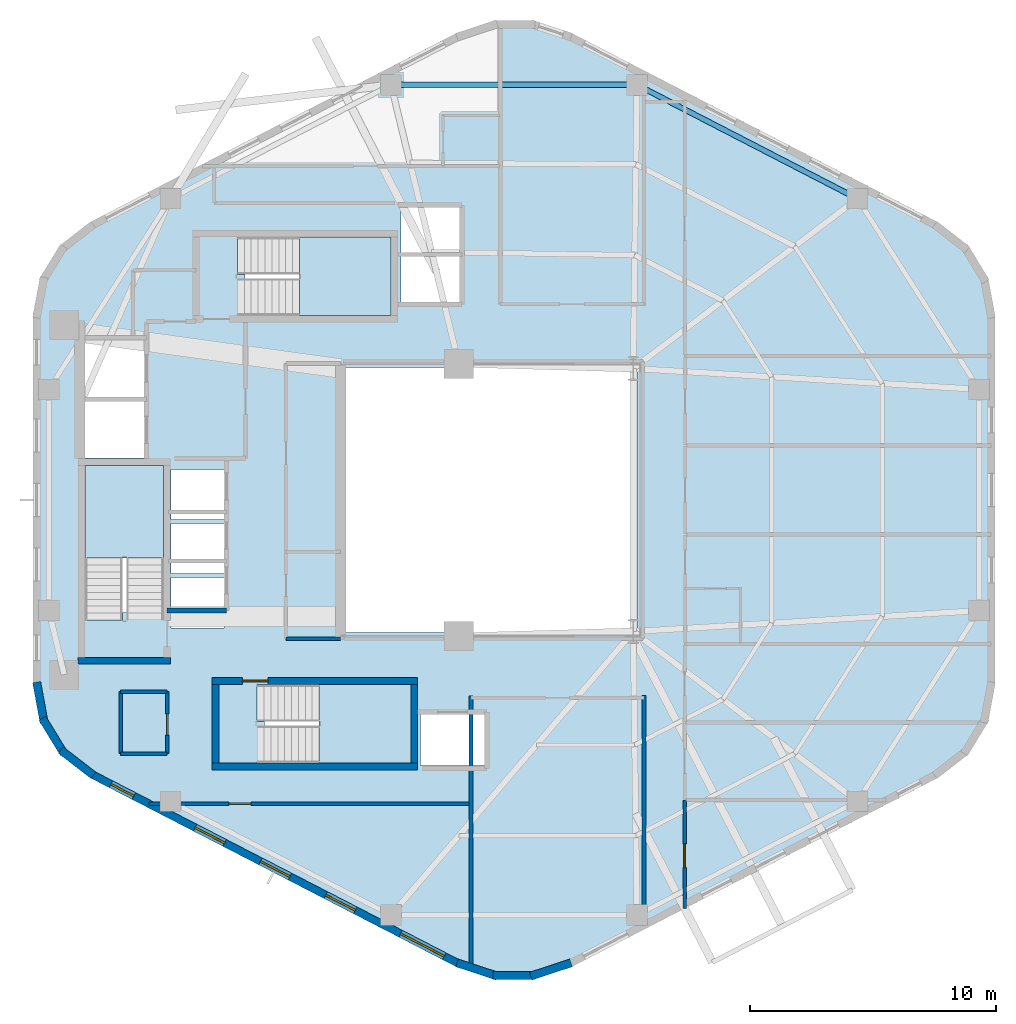
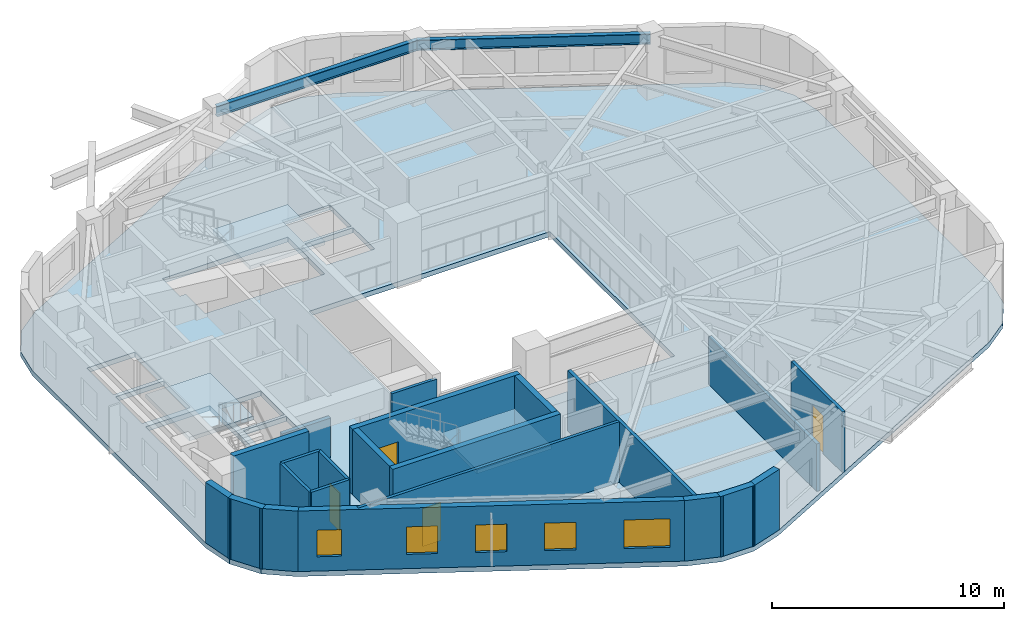
# One storey, part 2 of 7: 22 walls, 5 windows, 4 doors, 4 slabs, 2 beams, 9 openings, 3 elements without a shape of their own.
"""IFC4 building model written with IfcOpenShell, lengths in metres."""

from ifc_helpers import new_model, si_unit, direction, frame, frame_2d, origin, origin_2d, place, context, subcontext, project, spatial, polyline, rectangle, i_section, outline, extrude, material, layer, layer_set, material_profile, profile_set, type_object, element, fill, aggregate, save


model = new_model("IFC4")

# Units and contexts
model_context = context("Model", 3, precision=1e-05, world=origin(), true_north=direction((0.0, 1.0)))
body_context = subcontext(model_context, "Body", "Model", "MODEL_VIEW")
ifc_project = project(units=[si_unit("LENGTHUNIT", "METRE"), si_unit("AREAUNIT", "SQUARE_METRE"), si_unit("VOLUMEUNIT", "CUBIC_METRE"), si_unit("PLANEANGLEUNIT", "RADIAN"), si_unit("MASSUNIT", "GRAM", prefix="KILO"), si_unit("THERMODYNAMICTEMPERATUREUNIT", "KELVIN"), si_unit("POWERUNIT", "WATT")], contexts=[model_context])

# Site, building, storey
site_placement = place(None, origin())
site = spatial("IfcSite", under=ifc_project, at=site_placement, CompositionType="ELEMENT")
building_placement = place(site_placement, origin())
building = spatial("IfcBuilding", under=site, at=building_placement, Name="Skarre Station Tower", CompositionType="ELEMENT")
storey_placement = place(building_placement, frame((0.0, 0.0, 199.89990234375)))
storey = spatial("IfcBuildingStorey", under=building, at=storey_placement, Name="L54", CompositionType="ELEMENT", Elevation=199.89990234375)

# Beams
ifc_material_1 = material(Name="Steel ASTM A992 Grade 50", Category="steel")
ifc_material_profile = material_profile(ifc_material_1, i_section(OverallWidth=0.214111328125, OverallDepth=0.549072265625, WebThickness=0.014892578125, FlangeThickness=0.02392578125, at=origin_2d()), Name="Steel ASTM A992 Grade 50")
ifc_profile_set = profile_set([ifc_material_profile], Name="Steel ASTM A992 Grade 50")
beam_type = type_object("IfcBeamType", Name="Steel Spandrel W21X93", PredefinedType="SPANDREL", material=ifc_profile_set)
beam_1_placement = place(storey_placement, frame((48.573974609375, 36.257080078125, 2.916015625), z_axis=(-0.888613027226, 0.458657702262, 0.0), x_axis=(-0.458657702262, -0.888613027226, 0.0)))
element("IfcBeam", 1, at=beam_1_placement, inside=storey, type_object=beam_type, Name="L54 Facet Spandrel Beam 1", PredefinedType="SPANDREL", context=body_context, shape_type="SweptSolid", body=[
    extrude(i_section(OverallWidth=0.214111328125, OverallDepth=0.549072265625, WebThickness=0.014892578125, FlangeThickness=0.02392578125, at=origin_2d()), origin(), (0.0, 0.0, 1.0), 10.096435546875),
])
beam_2_placement = place(storey_placement, frame((39.60205078125, 40.887939453125, 2.916015625), z_axis=(-1.0, 0.0, 0.0), x_axis=(0.0, -1.0, 0.0)))
element("IfcBeam", 2, at=beam_2_placement, inside=storey, type_object=beam_type, Name="L54 Facet Spandrel Beam 2", PredefinedType="SPANDREL", context=body_context, shape_type="SweptSolid", body=[
    extrude(i_section(OverallWidth=0.214111328125, OverallDepth=0.549072265625, WebThickness=0.014892578125, FlangeThickness=0.02392578125, at=origin_2d()), origin(), (0.0, 0.0, 1.0), 10.004150390625),
])

# Stair, slab
ifc_material_2 = material(Name="Concrete C40/50", Category="concrete")
stair_type_1 = type_object("IfcStairType", Name="Reinforced Concrete Exit Stair ST-1", PredefinedType="HALF_TURN_STAIR", material=ifc_material_2)
stair_1_placement = place(storey_placement, origin())
stair_1 = element("IfcStair", 3, at=stair_1_placement, inside=storey, type_object=stair_type_1, Name="L54 Core Exit Stair ST-1", PredefinedType="HALF_TURN_STAIR")
ifc_layer_1 = layer(ifc_material_2, 0.219970703125, Name="Concrete C40/50")
ifc_layer_set_1 = layer_set([ifc_layer_1], Name="Concrete C40/50")
slab_type_1 = type_object("IfcSlabType", Name="Reinforced Concrete Stair & Ramp Landing 220", PredefinedType="LANDING", material=ifc_layer_set_1)
slab_1_placement = place(storey_placement, frame((0.0, 0.0, 1.525146484375)))
slab_1 = element("IfcSlab", 4, at=slab_1_placement, type_object=slab_type_1, Name="ST-1 landing 1", PredefinedType="LANDING", context=body_context, shape_type="SweptSolid", body=[
    extrude(outline(polyline([(20.35009765625, 21.639892578125), (20.35009765625, 25.39990234375), (17.14990234375, 25.39990234375), (17.14990234375, 21.639892578125), (20.35009765625, 21.639892578125)])), origin(), (0.0, 0.0, 1.0), 0.199951171875),
])
aggregate(stair_1, [slab_1])

stair_type_2 = type_object("IfcStairType", Name="Reinforced Concrete Exit Stair ST-2", PredefinedType="HALF_TURN_STAIR", material=ifc_material_2)
stair_2_placement = place(storey_placement, origin())
stair_2 = element("IfcStair", 5, at=stair_2_placement, inside=storey, type_object=stair_type_2, Name="L54 Core Exit Stair ST-2", PredefinedType="HALF_TURN_STAIR")
slab_2_placement = place(storey_placement, frame((0.0, 0.0, 1.525146484375)))
slab_2 = element("IfcSlab", 6, at=slab_2_placement, type_object=slab_type_1, Name="ST-2 landing 1", PredefinedType="LANDING", context=body_context, shape_type="SweptSolid", body=[
    extrude(outline(polyline([(26.669921875, 13.300048828125), (30.39990234375, 13.300048828125), (30.39990234375, 16.5), (26.669921875, 16.5), (26.669921875, 13.300048828125)])), origin(), (0.0, 0.0, 1.0), 0.199951171875),
])
aggregate(stair_2, [slab_2])

stair_type_3 = type_object("IfcStairType", Name="Reinforced Concrete Exit Stair ST-3", PredefinedType="HALF_TURN_STAIR", material=ifc_material_2)
stair_3_placement = place(storey_placement, origin())
stair_3 = element("IfcStair", 7, at=stair_3_placement, inside=storey, type_object=stair_type_3, Name="L54 Core Exit Stair ST-3", PredefinedType="HALF_TURN_STAIR")
slab_3_placement = place(storey_placement, frame((0.0, 0.0, 1.525146484375)))
slab_3 = element("IfcSlab", 8, at=slab_3_placement, type_object=slab_type_1, Name="ST-3 landing 1", PredefinedType="LANDING", context=body_context, shape_type="SweptSolid", body=[
    extrude(outline(polyline([(25.8701171875, 31.5), (29.60009765625, 31.5), (29.60009765625, 34.699951171875), (25.8701171875, 34.699951171875), (25.8701171875, 31.5)])), origin(), (0.0, 0.0, 1.0), 0.199951171875),
])
aggregate(stair_3, [slab_3])

# Slab
ifc_material_3 = material(Name="Concrete C50/60", Category="concrete")
ifc_layer_2 = layer(ifc_material_3, 0.260009765625, Name="Concrete C50/60")
ifc_layer_set_2 = layer_set([ifc_layer_2], Name="Concrete C50/60")
slab_type_2 = type_object("IfcSlabType", Name="Tower Typical Composite Floor Slab 260", PredefinedType="FLOOR", material=ifc_layer_set_2)
slab_4_placement = place(storey_placement, frame((0.0, 0.0, -0.260009765625)))
element("IfcSlab", 9, at=slab_4_placement, inside=storey, type_object=slab_type_2, Name="L54 Zone 3 Structural Floor Slab", PredefinedType="FLOOR", context=body_context, shape_type="SweptSolid", body=[
    extrude(outline(polyline([(54.172119140625, 31.501953125), (53.89208984375, 33.02294921875), (53.0869140625, 34.344970703125), (51.863037109375, 35.291015625), (36.908935546875, 43.009033203125), (35.39599609375, 43.506103515625), (33.803955078125, 43.506103515625), (32.291015625, 43.009033203125), (17.3369140625, 35.291015625), (16.113037109375, 34.344970703125), (15.30810546875, 33.02294921875), (15.028076171875, 31.501953125), (15.028076171875, 16.498046875), (15.30810546875, 14.97705078125), (16.113037109375, 13.655029296875), (17.3369140625, 12.708984375), (32.291015625, 4.990966796875), (33.803955078125, 4.493896484375), (35.39599609375, 4.493896484375), (36.908935546875, 4.990966796875), (51.863037109375, 12.708984375), (53.0869140625, 13.655029296875), (53.89208984375, 14.97705078125), (54.172119140625, 16.498046875), (54.172119140625, 31.501953125)]), holes=[polyline([(18.669921875, 19.419921875), (18.669921875, 19.123046875), (17.14990234375, 19.123046875), (17.14990234375, 25.39990234375), (20.35009765625, 25.39990234375), (20.35009765625, 19.419921875), (18.669921875, 19.419921875)]), polyline([(24.449951171875, 14.97998046875), (24.153076171875, 14.97998046875), (24.153076171875, 16.5), (30.39990234375, 16.5), (30.39990234375, 13.300048828125), (24.449951171875, 13.300048828125), (24.449951171875, 14.97998046875)]), polyline([(23.64990234375, 33.179931640625), (23.35302734375, 33.179931640625), (23.35302734375, 34.699951171875), (29.60009765625, 34.699951171875), (29.60009765625, 31.5), (23.64990234375, 31.5), (23.64990234375, 33.179931640625)]), polyline([(17.14990234375, 28.0), (19.550048828125, 28.0), (19.550048828125, 25.699951171875), (17.14990234375, 25.699951171875), (17.14990234375, 28.0)]), polyline([(17.14990234375, 30.5), (19.550048828125, 30.5), (19.550048828125, 28.199951171875), (17.14990234375, 28.199951171875), (17.14990234375, 30.5)]), polyline([(30.800048828125, 15.300048828125), (33.39990234375, 15.300048828125), (33.39990234375, 13.199951171875), (30.800048828125, 13.199951171875), (30.800048828125, 15.300048828125)]), polyline([(20.64990234375, 20.85009765625), (22.800048828125, 20.85009765625), (22.800048828125, 18.800048828125), (20.64990234375, 18.800048828125), (20.64990234375, 20.85009765625)]), polyline([(20.64990234375, 23.050048828125), (22.800048828125, 23.050048828125), (22.800048828125, 21.0), (20.64990234375, 21.0), (20.64990234375, 23.050048828125)]), polyline([(20.64990234375, 25.25), (22.800048828125, 25.25), (22.800048828125, 23.199951171875), (20.64990234375, 23.199951171875), (20.64990234375, 25.25)]), polyline([(30.0, 33.89990234375), (32.39990234375, 33.89990234375), (32.39990234375, 32.050048828125), (30.0, 32.050048828125), (30.0, 33.89990234375)]), polyline([(30.0, 35.89990234375), (32.39990234375, 35.89990234375), (32.39990234375, 34.050048828125), (30.0, 34.050048828125), (30.0, 35.89990234375)]), polyline([(27.60009765625, 29.39990234375), (39.60009765625, 29.39990234375), (39.60009765625, 18.60009765625), (27.60009765625, 18.60009765625), (27.60009765625, 29.39990234375)])]), origin(), (0.0, 0.0, 1.0), 0.260009765625),
])

# Walls
ifc_material_4 = material(Name="Acoustic Steel-Stud Gypsum Partition", Category="steel")
ifc_layer_3 = layer(ifc_material_4, 0.14990234375, Name="Acoustic Steel-Stud Gypsum Partition")
ifc_layer_set_3 = layer_set([ifc_layer_3], Name="Acoustic Steel-Stud Gypsum Partition")
wall_type_1 = type_object("IfcWallType", Name="Fire-Rated Corridor Acoustic Partition 150", PredefinedType="PARTITIONING", material=ifc_layer_set_3)
wall_1_placement = place(storey_placement, frame((25.320068359375, 18.360107421875, 0.0), z_axis=(0.0, 0.0, 1.0), x_axis=(1.0, 0.0, 0.0)))
element("IfcWall", 10, at=wall_1_placement, inside=storey, type_object=wall_type_1, Name="L54 Interior Partition WL-PT-L54-RC2-S", PredefinedType="PARTITIONING", context=body_context, shape_type="SweptSolid", body=[
    extrude(rectangle(XDim=2.22998046875, YDim=0.14990234375, at=frame_2d((1.114990234375, 0.0))), origin(), (0.0, 0.0, 1.0), 3.190185546875),
])
wall_2_placement = place(storey_placement, frame((18.60009765625, 16.199951171875, 0.0), z_axis=(0.0, 0.0, 1.0), x_axis=(0.0, -1.0, 0.0)))
element("IfcWall", 11, at=wall_2_placement, inside=storey, type_object=wall_type_1, Name="L54 Interior Partition WL-PT-L54-CSVC-W", PredefinedType="PARTITIONING", context=body_context, shape_type="SweptSolid", body=[
    extrude(rectangle(XDim=2.52001953125, YDim=0.14990234375, at=frame_2d((1.260009765625, 0.0))), origin(), (0.0, 0.0, 1.0), 3.190185546875),
])
for number, where, z_axis, x_axis, name in (
    (12, (18.60009765625, 13.679931640625, 0.0), (0.0, 0.0, 1.0), (1.0, 0.0, 0.0), "L54 Interior Partition WL-PT-L54-CSVC-S"),
    (13, (18.60009765625, 16.199951171875, 0.0), (0.0, 0.0, 1.0), (1.0, 0.0, 0.0), "L54 Interior Partition WL-PT-L54-CSVC-N"),
):
    element("IfcWall", number, at=place(storey_placement, frame(where, z_axis=z_axis, x_axis=x_axis)), inside=storey, type_object=wall_type_1, Name=name, PredefinedType="PARTITIONING", context=body_context, shape_type="SweptSolid", body=[
        extrude(rectangle(XDim=1.889892578125, YDim=0.14990234375, at=frame_2d((0.94482421875, 0.0))), origin(), (0.0, 0.0, 1.0), 3.190185546875),
    ])

# Wall, opening, door
wall_3_placement = place(storey_placement, frame((20.489990234375, 13.679931640625, 0.0), z_axis=(0.0, 0.0, 1.0), x_axis=(0.0, 1.0, 0.0)))
wall_3 = element("IfcWall", 14, at=wall_3_placement, inside=storey, type_object=wall_type_1, Name="L54 Interior Partition WL-PT-L54-CSVC-E", PredefinedType="PARTITIONING", context=body_context, shape_type="SweptSolid", body=[
    extrude(rectangle(XDim=2.52001953125, YDim=0.14990234375, at=frame_2d((1.260009765625, 0.0))), origin(), (0.0, 0.0, 1.0), 3.190185546875),
])
opening_1_placement = place(wall_3_placement, frame((0.75, 0.0, 0.0)))
opening_1 = element("IfcOpeningElement", 15, at=opening_1_placement, cuts=wall_3, Name="Opening DR-SVC86", PredefinedType="OPENING", context=body_context, shape_type="SweptSolid", body=[
    extrude(rectangle(XDim=0.860107421875, YDim=2.0, at=frame_2d((0.43017578125, 1.0))), frame((0.0, 0.0849609375, 0.0), z_axis=(0.0, -1.0, 0.0), x_axis=(1.0, 0.0, 0.0)), (0.0, 0.0, 1.0), 0.169921875),
])
ifc_material_5 = material(Name="Powder-Coated Hollow-Metal Acoustic Fire Leaf", Category="steel")
door_type_1 = type_object("IfcDoorType", Name="Compact Riser Fire Door FD60 860x2100", OperationType="SINGLE_SWING_LEFT", PredefinedType="DOOR", material=ifc_material_5)
door_1_placement = place(opening_1_placement, origin())
door_1 = element("IfcDoor", 16, at=door_1_placement, inside=storey, type_object=door_type_1, Name="L54 Supply Room Door", OperationType="SINGLE_SWING_LEFT", OverallHeight=2.0, OverallWidth=0.860107421875, PredefinedType="DOOR", context=body_context, shape_type="SweptSolid", body=[
    extrude(rectangle(XDim=0.860107421875, YDim=2.0, at=frame_2d((0.43017578125, 1.0))), frame((0.0, 0.02490234375, 0.0), z_axis=(0.0, -1.0, 0.0), x_axis=(1.0, 0.0, 0.0)), (0.0, 0.0, 1.0), 0.050048828125),
])
fill(opening_1, door_1)

wall_4_placement = place(storey_placement, frame((19.757080078125, 11.639892578125, 0.0), z_axis=(0.0, 0.0, 1.0), x_axis=(1.0, 0.0, 0.0)))
wall_4 = element("IfcWall", 17, at=wall_4_placement, inside=storey, type_object=wall_type_1, Name="L54 Interior Partition WL-PT-L54-SWP-N", PredefinedType="PARTITIONING", context=body_context, shape_type="SweptSolid", body=[
    extrude(rectangle(XDim=13.093017578125, YDim=0.14990234375, at=frame_2d((6.54638671875, 0.0))), origin(), (0.0, 0.0, 1.0), 3.190185546875),
])
opening_2_placement = place(wall_4_placement, frame((3.242919921875, 0.0, 0.0)))
opening_2 = element("IfcOpeningElement", 18, at=opening_2_placement, cuts=wall_4, Name="Opening DR-SVC90", PredefinedType="OPENING", context=body_context, shape_type="SweptSolid", body=[
    extrude(rectangle(XDim=0.89990234375, YDim=2.0, at=frame_2d((0.449951171875, 1.0))), frame((0.0, 0.0849609375, 0.0), z_axis=(0.0, -1.0, 0.0), x_axis=(1.0, 0.0, 0.0)), (0.0, 0.0, 1.0), 0.169921875),
])
door_type_2 = type_object("IfcDoorType", Name="Service & Riser Fire Door FD60 900x2100", OperationType="SINGLE_SWING_LEFT", PredefinedType="DOOR", material=ifc_material_5)
door_2_placement = place(opening_2_placement, origin())
door_2 = element("IfcDoor", 19, at=door_2_placement, inside=storey, type_object=door_type_2, Name="L54 Floor Public Toilets Door", OperationType="SINGLE_SWING_LEFT", OverallHeight=2.0, OverallWidth=0.89990234375, PredefinedType="DOOR", context=body_context, shape_type="SweptSolid", body=[
    extrude(rectangle(XDim=0.89990234375, YDim=2.0, at=frame_2d((0.449951171875, 1.0))), frame((0.0, 0.02490234375, 0.0), z_axis=(0.0, -1.0, 0.0), x_axis=(1.0, 0.0, 0.0)), (0.0, 0.0, 1.0), 0.050048828125),
])
fill(opening_2, door_2)

wall_5_placement = place(storey_placement, frame((41.5400390625, 7.39208984375, 0.0), z_axis=(0.0, 0.0, 1.0), x_axis=(0.0, 1.0, 0.0)))
wall_5 = element("IfcWall", 20, at=wall_5_placement, inside=storey, type_object=wall_type_1, Name="L54 Interior Partition WL-PT-L54-SW1-CW", PredefinedType="PARTITIONING", context=body_context, shape_type="SweptSolid", body=[
    extrude(rectangle(XDim=4.387939453125, YDim=0.14990234375, at=frame_2d((2.19384765625, 0.0))), origin(), (0.0, 0.0, 1.0), 3.190185546875),
])
opening_3_placement = place(wall_5_placement, frame((1.655029296875, 0.0, 0.0)))
opening_3 = element("IfcOpeningElement", 21, at=opening_3_placement, cuts=wall_5, Name="Opening DR-FD60", PredefinedType="OPENING", context=body_context, shape_type="SweptSolid", body=[
    extrude(rectangle(XDim=0.9599609375, YDim=2.0, at=frame_2d((0.47998046875, 1.0))), frame((0.0, 0.0849609375, 0.0), z_axis=(0.0, -1.0, 0.0), x_axis=(1.0, 0.0, 0.0)), (0.0, 0.0, 1.0), 0.169921875),
])
ifc_material_6 = material(Name="Nordic White-Oak Veneer Solid-Core Fire Leaf", Category="wood")
door_type_3 = type_object("IfcDoorType", Name="Corridor Suite Entry Fire Door FD60 960x2150", OperationType="SINGLE_SWING_LEFT", PredefinedType="DOOR", material=ifc_material_6)
door_3_placement = place(opening_3_placement, origin())
door_3 = element("IfcDoor", 22, at=door_3_placement, inside=storey, type_object=door_type_3, Name="L54 SW1 Entry Door", OperationType="SINGLE_SWING_LEFT", OverallHeight=2.0, OverallWidth=0.9599609375, PredefinedType="DOOR", context=body_context, shape_type="SweptSolid", body=[
    extrude(rectangle(XDim=0.9599609375, YDim=2.0, at=frame_2d((0.47998046875, 1.0))), frame((0.0, 0.02490234375, 0.0), z_axis=(0.0, -1.0, 0.0), x_axis=(1.0, 0.0, 0.0)), (0.0, 0.0, 1.0), 0.050048828125),
])
fill(opening_3, door_3)

# Walls
ifc_material_7 = material(Name="Precast concrete C45/55", Category="concrete")
ifc_layer_4 = layer(ifc_material_7, 0.330078125, Name="Precast concrete C45/55")
ifc_layer_set_4 = layer_set([ifc_layer_4], Name="Precast concrete C45/55")
wall_type_2 = type_object("IfcWallType", Name="Nordic Rounded Corner Precast Wall 330", PredefinedType="STANDARD", material=ifc_layer_set_4)
wall_6_placement = place(storey_placement, frame((17.489013671875, 12.800048828125, 0.0), z_axis=(0.0, 0.0, 1.0), x_axis=(-0.791409877269, 0.611285862884, 0.0)))
element("IfcWall", 23, at=wall_6_placement, inside=storey, type_object=wall_type_2, Name="L54 Rounded Corner Precast Wall F3-1", PredefinedType="STANDARD", context=body_context, shape_type="SweptSolid", body=[
    extrude(rectangle(XDim=1.676513671875, YDim=0.330078125, at=frame_2d((0.83837890625, 0.0))), origin(), (0.0, 0.0, 1.0), 3.190185546875),
])
wall_7_placement = place(storey_placement, frame((16.2880859375, 13.68505859375, 0.0), z_axis=(0.0, 0.0, 1.0), x_axis=(-0.520325409202, 0.853968072318, 0.0)))
element("IfcWall", 24, at=wall_7_placement, inside=storey, type_object=wall_type_2, Name="L54 Rounded Corner Precast Wall F3-2", PredefinedType="STANDARD", context=body_context, shape_type="SweptSolid", body=[
    extrude(rectangle(XDim=1.677978515625, YDim=0.330078125, at=frame_2d((0.8388671875, 0.0))), origin(), (0.0, 0.0, 1.0), 3.190185546875),
])
wall_8_placement = place(storey_placement, frame((15.48193359375, 14.943115234375, 0.0), z_axis=(0.0, 0.0, 1.0), x_axis=(-0.180717642671, 0.983535019014, 0.0)))
element("IfcWall", 25, at=wall_8_placement, inside=storey, type_object=wall_type_2, Name="L54 Rounded Corner Precast Wall F3-3", PredefinedType="STANDARD", context=body_context, shape_type="SweptSolid", body=[
    extrude(rectangle(XDim=1.676513671875, YDim=0.330078125, at=frame_2d((0.83837890625, 0.0))), origin(), (0.0, 0.0, 1.0), 3.190185546875),
])
wall_9_placement = place(storey_placement, frame((36.9189453125, 5.16796875, 0.0), z_axis=(0.0, 0.0, 1.0), x_axis=(-0.949937416267, -0.312440242569, 0.0)))
element("IfcWall", 26, at=wall_9_placement, inside=storey, type_object=wall_type_2, Name="L54 Rounded Corner Precast Wall F4-1", PredefinedType="STANDARD", context=body_context, shape_type="SweptSolid", body=[
    extrude(rectangle(XDim=1.72216796875, YDim=0.330078125, at=frame_2d((0.861083984375, 0.0))), origin(), (0.0, 0.0, 1.0), 3.190185546875),
])
wall_10_placement = place(storey_placement, frame((35.4609375, 4.658935546875, 0.0), z_axis=(0.0, 0.0, 1.0), x_axis=(-1.0, 0.0, 0.0)))
element("IfcWall", 27, at=wall_10_placement, inside=storey, type_object=wall_type_2, Name="L54 Rounded Corner Precast Wall F4-2", PredefinedType="STANDARD", context=body_context, shape_type="SweptSolid", body=[
    extrude(rectangle(XDim=1.721923828125, YDim=0.330078125, at=frame_2d((0.86083984375, 0.0))), origin(), (0.0, 0.0, 1.0), 3.190185546875),
])
wall_11_placement = place(storey_placement, frame((33.9169921875, 4.6298828125, 0.0), z_axis=(0.0, 0.0, 1.0), x_axis=(-0.949937416267, 0.312440242569, 0.0)))
element("IfcWall", 28, at=wall_11_placement, inside=storey, type_object=wall_type_2, Name="L54 Rounded Corner Precast Wall F4-3", PredefinedType="STANDARD", context=body_context, shape_type="SweptSolid", body=[
    extrude(rectangle(XDim=1.72216796875, YDim=0.330078125, at=frame_2d((0.861083984375, 0.0))), origin(), (0.0, 0.0, 1.0), 3.190185546875),
])

# Wall, openings, windows
ifc_layer_5 = layer(ifc_material_7, 0.31005859375, Name="Precast concrete C45/55")
ifc_layer_set_5 = layer_set([ifc_layer_5], Name="Precast concrete C45/55")
wall_type_3 = type_object("IfcWallType", Name="Nordic Upper-Zone Precast Facet Wall 310", PredefinedType="STANDARD", material=ifc_layer_set_5)
wall_12_placement = place(storey_placement, frame((32.362060546875, 5.12890625, 0.0), z_axis=(0.0, 0.0, 1.0), x_axis=(-0.888626188278, 0.458632202867, 0.0)))
wall_12 = element("IfcWall", 29, at=wall_12_placement, inside=storey, type_object=wall_type_3, Name="L54 Facet 3 Nordic Precast Masonry Wall", PredefinedType="STANDARD", context=body_context, shape_type="SweptSolid", body=[
    extrude(rectangle(XDim=16.828369140625, YDim=0.31005859375, at=frame_2d((8.4140625, 0.0))), origin(), (0.0, 0.0, 1.0), 3.190185546875),
])
opening_4_placement = place(wall_12_placement, frame((0.675048828125, 0.0, 0.75)))
opening_4 = element("IfcOpeningElement", 30, at=opening_4_placement, cuts=wall_12, Name="Opening WN-Z3A", PredefinedType="OPENING", context=body_context, shape_type="SweptSolid", body=[
    extrude(rectangle(XDim=2.0, YDim=1.5, at=frame_2d((1.0, 0.75))), frame((0.0, 0.1650390625, 0.0), z_axis=(0.0, -1.0, 0.0), x_axis=(1.0, 0.0, 0.0)), (0.0, 0.0, 1.0), 0.330078125),
])
opening_5_placement = place(wall_12_placement, frame((4.75, 0.0, 0.75)))
opening_5 = element("IfcOpeningElement", 31, at=opening_5_placement, cuts=wall_12, Name="Opening WN-Z3B", PredefinedType="OPENING", context=body_context, shape_type="SweptSolid", body=[
    extrude(rectangle(XDim=1.35009765625, YDim=1.449951171875, at=frame_2d((0.675048828125, 0.72509765625))), frame((0.0, 0.1650390625, 0.0), z_axis=(0.0, -1.0, 0.0), x_axis=(1.0, 0.0, 0.0)), (0.0, 0.0, 1.0), 0.330078125),
])
opening_6_placement = place(wall_12_placement, frame((7.739013671875, 0.0, 0.75)))
opening_6 = element("IfcOpeningElement", 32, at=opening_6_placement, cuts=wall_12, Name="Opening WN-Z3B", PredefinedType="OPENING", context=body_context, shape_type="SweptSolid", body=[
    extrude(rectangle(XDim=1.35009765625, YDim=1.449951171875, at=frame_2d((0.675048828125, 0.72509765625))), frame((0.0, 0.1650390625, 0.0), z_axis=(0.0, -1.0, 0.0), x_axis=(1.0, 0.0, 0.0)), (0.0, 0.0, 1.0), 0.330078125),
])
opening_7_placement = place(wall_12_placement, frame((10.72802734375, 0.0, 0.75)))
opening_7 = element("IfcOpeningElement", 33, at=opening_7_placement, cuts=wall_12, Name="Opening WN-Z3B", PredefinedType="OPENING", context=body_context, shape_type="SweptSolid", body=[
    extrude(rectangle(XDim=1.35009765625, YDim=1.449951171875, at=frame_2d((0.675048828125, 0.72509765625))), frame((0.0, 0.1650390625, 0.0), z_axis=(0.0, -1.0, 0.0), x_axis=(1.0, 0.0, 0.0)), (0.0, 0.0, 1.0), 0.330078125),
])
opening_8_placement = place(wall_12_placement, frame((14.885009765625, 0.0, 0.75)))
opening_8 = element("IfcOpeningElement", 34, at=opening_8_placement, cuts=wall_12, Name="Opening WN-SLT", PredefinedType="OPENING", context=body_context, shape_type="SweptSolid", body=[
    extrude(rectangle(XDim=1.050048828125, YDim=1.39990234375, at=frame_2d((0.52490234375, 0.699951171875))), frame((0.0, 0.1650390625, 0.0), z_axis=(0.0, -1.0, 0.0), x_axis=(1.0, 0.0, 0.0)), (0.0, 0.0, 1.0), 0.330078125),
])
ifc_material_8 = material(Name="Low-Iron Triple Glazing with Bronze Anodized Frame", Category="glass")
window_type_1 = type_object("IfcWindowType", Name="Nordic Corner Slot Window 1050x1400", PartitioningType="SINGLE_PANEL", PredefinedType="WINDOW", material=ifc_material_8)
window_1_placement = place(opening_8_placement, origin())
window_1 = element("IfcWindow", 35, at=window_1_placement, inside=storey, type_object=window_type_1, Name="L54 Facade Window WL-FAC-L54-F3-5", OverallHeight=1.39990234375, OverallWidth=1.050048828125, PartitioningType="SINGLE_PANEL", PredefinedType="WINDOW", context=body_context, shape_type="SweptSolid", body=[
    extrude(rectangle(XDim=1.050048828125, YDim=1.39990234375, at=frame_2d((0.52490234375, 0.699951171875))), frame((0.0, 0.030029296875, 0.0), z_axis=(0.0, -1.0, 0.0), x_axis=(1.0, 0.0, 0.0)), (0.0, 0.0, 1.0), 0.06005859375),
])
fill(opening_8, window_1)
window_type_2 = type_object("IfcWindowType", Name="Nordic Hospitality Narrow Window 1350x1450", PartitioningType="SINGLE_PANEL", PredefinedType="WINDOW", material=ifc_material_8)
window_2_placement = place(opening_5_placement, origin())
window_2 = element("IfcWindow", 36, at=window_2_placement, inside=storey, type_object=window_type_2, Name="L54 Facade Window WL-FAC-L54-F3-2", OverallHeight=1.449951171875, OverallWidth=1.35009765625, PartitioningType="SINGLE_PANEL", PredefinedType="WINDOW", context=body_context, shape_type="SweptSolid", body=[
    extrude(rectangle(XDim=1.35009765625, YDim=1.449951171875, at=frame_2d((0.675048828125, 0.72509765625))), frame((0.0, 0.030029296875, 0.0), z_axis=(0.0, -1.0, 0.0), x_axis=(1.0, 0.0, 0.0)), (0.0, 0.0, 1.0), 0.06005859375),
])
fill(opening_5, window_2)
window_3_placement = place(opening_6_placement, origin())
window_3 = element("IfcWindow", 37, at=window_3_placement, inside=storey, type_object=window_type_2, Name="L54 Facade Window WL-FAC-L54-F3-3", OverallHeight=1.449951171875, OverallWidth=1.35009765625, PartitioningType="SINGLE_PANEL", PredefinedType="WINDOW", context=body_context, shape_type="SweptSolid", body=[
    extrude(rectangle(XDim=1.35009765625, YDim=1.449951171875, at=frame_2d((0.675048828125, 0.72509765625))), frame((0.0, 0.030029296875, 0.0), z_axis=(0.0, -1.0, 0.0), x_axis=(1.0, 0.0, 0.0)), (0.0, 0.0, 1.0), 0.06005859375),
])
fill(opening_6, window_3)
window_4_placement = place(opening_7_placement, origin())
window_4 = element("IfcWindow", 38, at=window_4_placement, inside=storey, type_object=window_type_2, Name="L54 Facade Window WL-FAC-L54-F3-4", OverallHeight=1.449951171875, OverallWidth=1.35009765625, PartitioningType="SINGLE_PANEL", PredefinedType="WINDOW", context=body_context, shape_type="SweptSolid", body=[
    extrude(rectangle(XDim=1.35009765625, YDim=1.449951171875, at=frame_2d((0.675048828125, 0.72509765625))), frame((0.0, 0.030029296875, 0.0), z_axis=(0.0, -1.0, 0.0), x_axis=(1.0, 0.0, 0.0)), (0.0, 0.0, 1.0), 0.06005859375),
])
fill(opening_7, window_4)
window_type_3 = type_object("IfcWindowType", Name="Nordic Hospitality Window 2000x1500", PartitioningType="SINGLE_PANEL", PredefinedType="WINDOW", material=ifc_material_8)
window_5_placement = place(opening_4_placement, origin())
window_5 = element("IfcWindow", 39, at=window_5_placement, inside=storey, type_object=window_type_3, Name="L54 Facade Window WL-FAC-L54-F3-1", OverallHeight=1.5, OverallWidth=2.0, PartitioningType="SINGLE_PANEL", PredefinedType="WINDOW", context=body_context, shape_type="SweptSolid", body=[
    extrude(rectangle(XDim=2.0, YDim=1.5, at=frame_2d((1.0, 0.75))), frame((0.0, 0.030029296875, 0.0), z_axis=(0.0, -1.0, 0.0), x_axis=(1.0, 0.0, 0.0)), (0.0, 0.0, 1.0), 0.06005859375),
])
fill(opening_4, window_5)

# Walls
ifc_layer_6 = layer(ifc_material_3, 0.280029296875, Name="Concrete C50/60")
ifc_layer_set_6 = layer_set([ifc_layer_6], Name="Concrete C50/60")
wall_type_4 = type_object("IfcWallType", Name="RC Core Shear Wall 280", PredefinedType="SHEAR", material=ifc_layer_set_6)
wall_13_placement = place(storey_placement, frame((16.8701171875, 17.4599609375, 0.0), z_axis=(0.0, 0.0, 1.0), x_axis=(1.0, 0.0, 0.0)))
element("IfcWall", 40, at=wall_13_placement, inside=storey, type_object=wall_type_4, Name="L54 Stair ST-1 South Shear Wall", PredefinedType="SHEAR", context=body_context, shape_type="SweptSolid", body=[
    extrude(rectangle(XDim=3.759765625, YDim=0.280029296875, at=frame_2d((1.8798828125, 0.0))), origin(), (0.0, 0.0, 1.0), 3.4501953125),
])
wall_14_placement = place(storey_placement, frame((22.320068359375, 13.159912109375, 0.0), z_axis=(0.0, 0.0, 1.0), x_axis=(1.0, 0.0, 0.0)))
element("IfcWall", 41, at=wall_14_placement, inside=storey, type_object=wall_type_4, Name="L54 Stair ST-2 South Shear Wall", PredefinedType="SHEAR", context=body_context, shape_type="SweptSolid", body=[
    extrude(rectangle(XDim=8.35986328125, YDim=0.280029296875, at=frame_2d((4.179931640625, 0.0))), origin(), (0.0, 0.0, 1.0), 3.4501953125),
])

# Wall, opening, door
wall_15_placement = place(storey_placement, frame((30.679931640625, 16.639892578125, 0.0), z_axis=(0.0, 0.0, 1.0), x_axis=(-1.0, 0.0, 0.0)))
wall_15 = element("IfcWall", 42, at=wall_15_placement, inside=storey, type_object=wall_type_4, Name="L54 Stair ST-2 North Shear Wall", PredefinedType="SHEAR", context=body_context, shape_type="SweptSolid", body=[
    extrude(rectangle(XDim=8.35986328125, YDim=0.280029296875, at=frame_2d((4.179931640625, 0.0))), origin(), (0.0, 0.0, 1.0), 3.4501953125),
])
opening_9_placement = place(wall_15_placement, frame((6.080078125, 0.0, 0.0)))
opening_9 = element("IfcOpeningElement", 43, at=opening_9_placement, cuts=wall_15, Name="Opening DR-FD90", PredefinedType="OPENING", context=body_context, shape_type="SweptSolid", body=[
    extrude(rectangle(XDim=1.050048828125, YDim=2.0, at=frame_2d((0.52490234375, 1.0))), frame((0.0, 0.14990234375, 0.0), z_axis=(0.0, -1.0, 0.0), x_axis=(1.0, 0.0, 0.0)), (0.0, 0.0, 1.0), 0.300048828125),
])
ifc_material_9 = material(Name="Fire-Rated Insulated Steel Frame & Timber Core Leaf", Category="steel")
door_type_4 = type_object("IfcDoorType", Name="Stair & FSAE Lobby Fire Door FD90 1050x2150", OperationType="SINGLE_SWING_RIGHT", PredefinedType="DOOR", material=ifc_material_9)
door_4_placement = place(opening_9_placement, origin())
door_4 = element("IfcDoor", 44, at=door_4_placement, inside=storey, type_object=door_type_4, Name="L54 Stair ST-2 Exit Door", OperationType="SINGLE_SWING_RIGHT", OverallHeight=2.0, OverallWidth=1.050048828125, PredefinedType="DOOR", context=body_context, shape_type="SweptSolid", body=[
    extrude(rectangle(XDim=1.050048828125, YDim=2.0, at=frame_2d((0.52490234375, 1.0))), frame((0.0, 0.02490234375, 0.0), z_axis=(0.0, -1.0, 0.0), x_axis=(1.0, 0.0, 0.0)), (0.0, 0.0, 1.0), 0.050048828125),
])
fill(opening_9, door_4)

# Walls
for number, where, z_axis, x_axis, name in (
    (45, (22.4599609375, 16.5, 0.0), (0.0, 0.0, 1.0), (0.0, -1.0, 0.0), "L54 Stair ST-2 West Shear Wall"),
    (46, (30.5400390625, 13.300048828125, 0.0), (0.0, 0.0, 1.0), (0.0, 1.0, 0.0), "L54 Stair ST-2 East Shear Wall"),
):
    element("IfcWall", number, at=place(storey_placement, frame(where, z_axis=z_axis, x_axis=x_axis)), inside=storey, type_object=wall_type_4, Name=name, PredefinedType="SHEAR", context=body_context, shape_type="SweptSolid", body=[
        extrude(rectangle(XDim=3.199951171875, YDim=0.280029296875, at=frame_2d((1.60009765625, 0.0))), origin(), (0.0, 0.0, 1.0), 3.4501953125),
    ])
ifc_material_10 = material(Name="Gypsum Concrete Shaft Assembly C30/37", Category="concrete")
ifc_layer_7 = layer(ifc_material_10, 0.199951171875, Name="Gypsum Concrete Shaft Assembly C30/37")
ifc_layer_set_7 = layer_set([ifc_layer_7], Name="Gypsum Concrete Shaft Assembly C30/37")
wall_type_5 = type_object("IfcWallType", Name="Shaft & Core Fire Partition 200", PredefinedType="PARTITIONING", material=ifc_layer_set_7)
wall_16_placement = place(storey_placement, frame((20.489990234375, 19.5, 0.0), z_axis=(0.0, 0.0, 1.0), x_axis=(1.0, 0.0, 0.0)))
element("IfcWall", 47, at=wall_16_placement, inside=storey, type_object=wall_type_5, Name="L54 Interior Partition WL-PT-L54-B3-S", PredefinedType="PARTITIONING", context=body_context, shape_type="SweptSolid", body=[
    extrude(rectangle(XDim=2.409912109375, YDim=0.199951171875, at=frame_2d((1.205078125, 0.0))), origin(), (0.0, 0.0, 1.0), 2.090087890625),
])
ifc_layer_8 = layer(ifc_material_4, 0.1650390625, Name="Acoustic Steel-Stud Gypsum Partition")
ifc_layer_set_8 = layer_set([ifc_layer_8], Name="Acoustic Steel-Stud Gypsum Partition")
wall_type_6 = type_object("IfcWallType", Name="Suite Demising Acoustic Partition 165", PredefinedType="PARTITIONING", material=ifc_layer_set_8)
wall_17_placement = place(storey_placement, frame((32.85009765625, 4.97607421875, 0.0), z_axis=(0.0, 0.0, 1.0), x_axis=(0.0, 1.0, 0.0)))
element("IfcWall", 48, at=wall_17_placement, inside=storey, type_object=wall_type_6, Name="L54 Interior Partition WL-PT-L54-SWP-E", PredefinedType="PARTITIONING", context=body_context, shape_type="SweptSolid", body=[
    extrude(rectangle(XDim=11.053955078125, YDim=0.1650390625, at=frame_2d((5.52685546875, 0.0))), origin(), (0.0, 0.0, 1.0), 3.190185546875),
])
wall_18_placement = place(storey_placement, frame((39.8798828125, 6.7041015625, 0.0), z_axis=(0.0, 0.0, 1.0), x_axis=(0.0, 1.0, 0.0)))
element("IfcWall", 49, at=wall_18_placement, inside=storey, type_object=wall_type_6, Name="L54 Interior Partition WL-PT-L54-SWC-E", PredefinedType="PARTITIONING", context=body_context, shape_type="SweptSolid", body=[
    extrude(rectangle(XDim=9.345947265625, YDim=0.1650390625, at=frame_2d((4.6728515625, 0.0))), origin(), (0.0, 0.0, 1.0), 2.4970703125),
])

save(model, "model.ifc")
